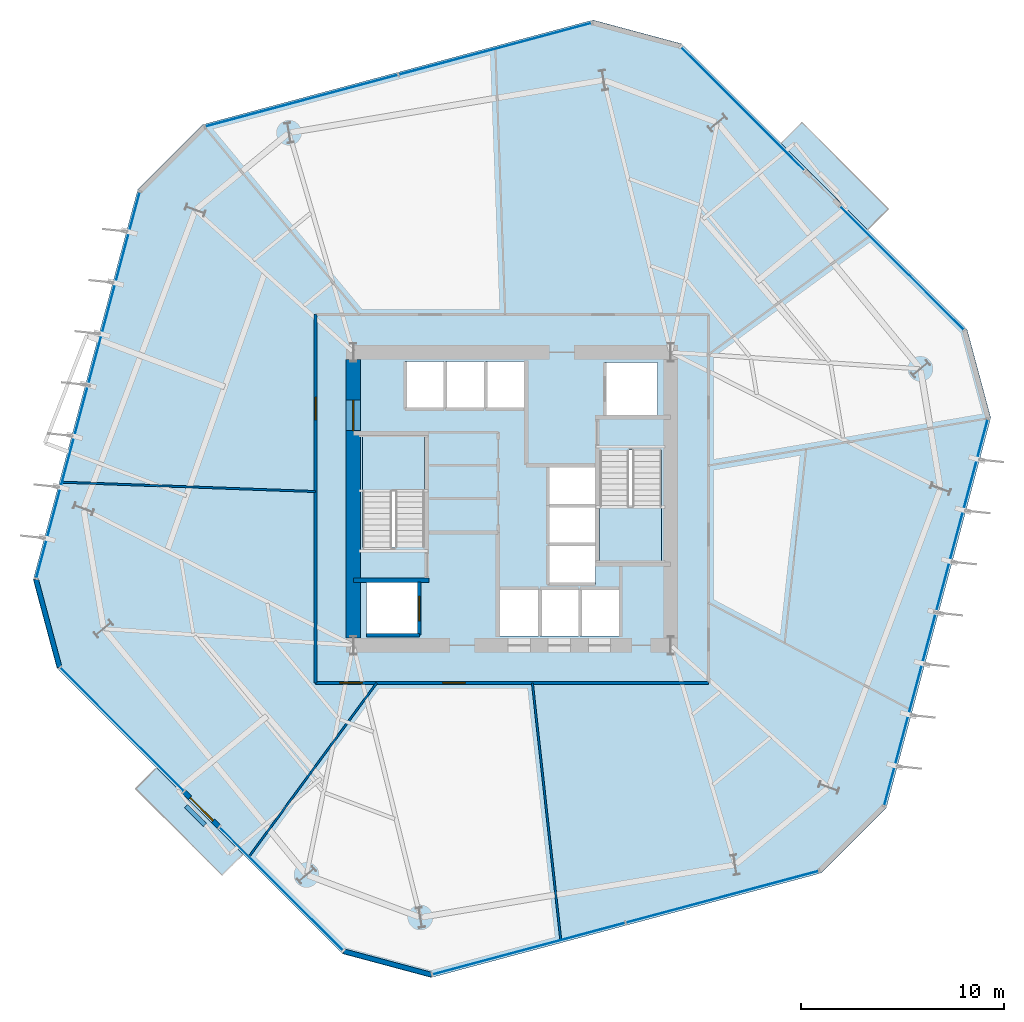
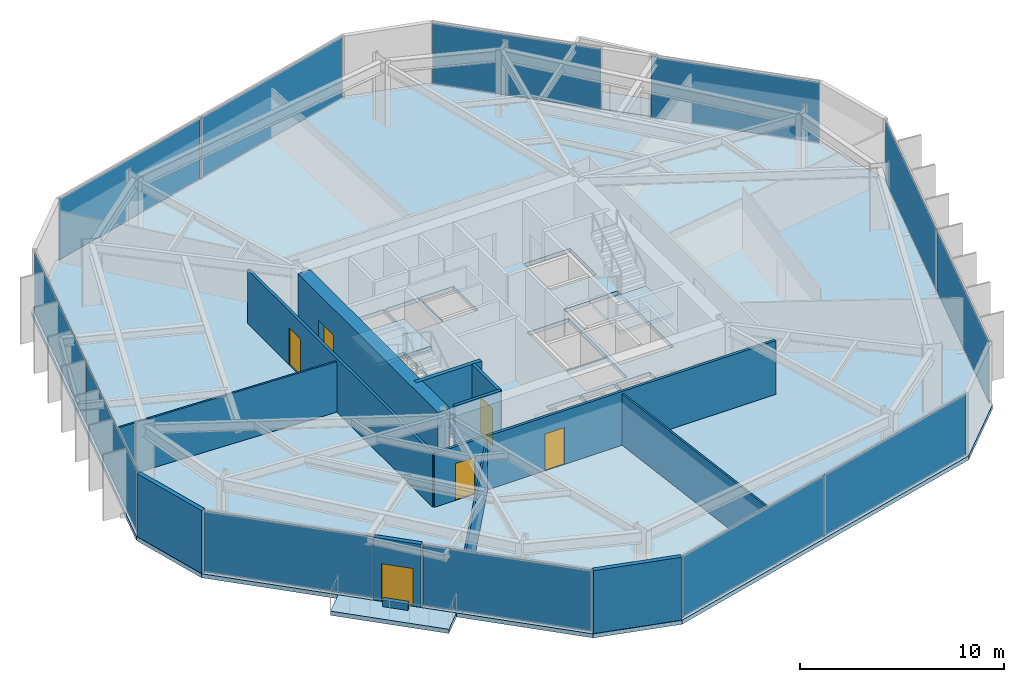
# One storey, part 5 of 10: 13 walls, 12 plates, 6 doors, 5 slabs, 6 openings, 10 elements without a shape of their own.
"""IFC4 building model written with IfcOpenShell, lengths in metres."""

from ifc_helpers import new_model, si_unit, direction, frame, frame_2d, origin, origin_2d, place, context, subcontext, project, spatial, polyline, rectangle, outline, extrude, material, layer, layer_set, type_object, element, fill, aggregate, save


model = new_model("IFC4")

# Units and contexts
model_context = context("Model", 3, precision=1e-05, world=origin(), true_north=direction((0.0, 1.0)))
body_context = subcontext(model_context, "Body", "Model", "MODEL_VIEW")
ifc_project = project(units=[si_unit("LENGTHUNIT", "METRE"), si_unit("AREAUNIT", "SQUARE_METRE"), si_unit("VOLUMEUNIT", "CUBIC_METRE"), si_unit("PLANEANGLEUNIT", "RADIAN"), si_unit("MASSUNIT", "GRAM", prefix="KILO")], contexts=[model_context])

# Site, building, storey
site_placement = place(None, origin())
site = spatial("IfcSite", under=ifc_project, at=site_placement, CompositionType="ELEMENT")
building_placement = place(site_placement, origin())
building = spatial("IfcBuilding", under=site, at=building_placement, Name="Kranzbogen Civic Tower", CompositionType="ELEMENT")
storey_placement = place(building_placement, frame((0.0, 0.0, 80.0)))
storey = spatial("IfcBuildingStorey", under=building, at=storey_placement, Name="L19", CompositionType="ELEMENT", Elevation=80.0)

# Slab
ifc_material_1 = material(Name="Concrete C40/50", Category="concrete")
ifc_layer_1 = layer(ifc_material_1, 0.239990234375, Name="Concrete C40/50")
ifc_layer_set_1 = layer_set([ifc_layer_1], Name="Concrete C40/50")
slab_type_1 = type_object("IfcSlabType", Name="Composite Lower Tower Floor Slab 240 mm", PredefinedType="FLOOR", material=ifc_layer_set_1)
slab_1_placement = place(storey_placement, frame((0.0, 0.0, -0.239990234375)))
element("IfcSlab", 1, at=slab_1_placement, inside=storey, type_object=slab_type_1, Name="L19 tower floor slab", PredefinedType="FLOOR", context=body_context, shape_type="SweptSolid", body=[
    extrude(outline(polyline([(47.365966796875, 33.322021484375), (33.322021484375, 47.365966796875), (28.97607421875, 48.531005859375), (9.7919921875, 43.389892578125), (6.610107421875, 40.2080078125), (1.468994140625, 21.02392578125), (2.634033203125, 16.677978515625), (16.677978515625, 2.634033203125), (21.02392578125, 1.468994140625), (40.2080078125, 6.610107421875), (43.389892578125, 9.7919921875), (48.531005859375, 28.97607421875), (47.365966796875, 33.322021484375)]), holes=[polyline([(26.300048828125, 20.60009765625), (26.300048828125, 18.25), (24.39990234375, 18.25), (24.39990234375, 20.60009765625), (26.300048828125, 20.60009765625)]), polyline([(28.27490234375, 18.25), (26.375, 18.25), (26.375, 20.60009765625), (28.27490234375, 20.60009765625), (28.27490234375, 18.25)]), polyline([(20.449951171875, 18.300048828125), (17.85009765625, 18.300048828125), (17.85009765625, 20.89990234375), (20.449951171875, 20.89990234375), (20.449951171875, 18.300048828125)]), polyline([(20.699951171875, 22.659912109375), (19.25, 22.659912109375), (19.25, 22.60009765625), (17.64990234375, 22.60009765625), (17.64990234375, 28.10009765625), (20.699951171875, 28.10009765625), (20.699951171875, 22.659912109375)]), polyline([(21.64990234375, 29.39990234375), (19.75, 29.39990234375), (19.75, 31.75), (21.64990234375, 31.75), (21.64990234375, 29.39990234375)]), polyline([(23.625, 29.39990234375), (21.72509765625, 29.39990234375), (21.72509765625, 31.75), (23.625, 31.75), (23.625, 29.39990234375)]), polyline([(25.60009765625, 31.75), (25.60009765625, 29.39990234375), (23.699951171875, 29.39990234375), (23.699951171875, 31.75), (25.60009765625, 31.75)]), polyline([(30.25, 18.25), (28.35009765625, 18.25), (28.35009765625, 20.60009765625), (30.25, 20.60009765625), (30.25, 18.25)]), polyline([(29.10009765625, 20.800048828125), (26.75, 20.800048828125), (26.75, 22.699951171875), (29.10009765625, 22.699951171875), (29.10009765625, 20.800048828125)]), polyline([(26.75, 26.550048828125), (29.10009765625, 26.550048828125), (29.10009765625, 24.675048828125), (29.10009765625, 24.64990234375), (29.10009765625, 22.77490234375), (26.75, 22.77490234375), (26.75, 24.64990234375), (26.75, 24.675048828125), (26.75, 26.550048828125)]), polyline([(30.75, 27.340087890625), (30.75, 27.39990234375), (32.35009765625, 27.39990234375), (32.35009765625, 21.89990234375), (29.300048828125, 21.89990234375), (29.300048828125, 27.340087890625), (30.75, 27.340087890625)]), polyline([(32.14990234375, 29.10009765625), (29.550048828125, 29.10009765625), (29.550048828125, 31.699951171875), (32.14990234375, 31.699951171875), (32.14990234375, 29.10009765625)])]), origin(), (0.0, 0.0, 1.0), 0.239990234375),
])

# Curtain wall, plate
ifc_material_2 = material(Name="Pale Anodised Aluminium", Category="aluminium")
ifc_layer_2 = layer(ifc_material_2, 0.219970703125, Name="Pale Anodised Aluminium")
ifc_layer_set_2 = layer_set([ifc_layer_2], Name="Pale Anodised Aluminium")
curtain_wall_type = type_object("IfcCurtainWallType", Name="Zone 1 Stick Curtain Wall System CW-02", PredefinedType="USERDEFINED", material=ifc_layer_set_2)
curtain_wall_1_placement = place(storey_placement, origin())
curtain_wall_1 = element("IfcCurtainWall", 2, at=curtain_wall_1_placement, inside=storey, type_object=curtain_wall_type, Name="L19 curtain wall CW-L19-F1-S1", ObjectType="STICK CURTAIN WALL", PredefinedType="USERDEFINED")
ifc_material_3 = material(Name="Low-E Triple Glazing Glass", Category="glass")
ifc_layer_3 = layer(ifc_material_3, 0.033935546875, Name="Low-E Triple Glazing Glass")
ifc_layer_set_3 = layer_set([ifc_layer_3], Name="Low-E Triple Glazing Glass")
plate_type = type_object("IfcPlateType", Name="Insulated Low-E Glazing Panel 34 mm", PredefinedType="CURTAIN_PANEL", material=ifc_layer_set_3)
plate_1_placement = place(storey_placement, frame((44.1689453125, 36.339111328125, 0.06005859375), z_axis=(0.0, 0.0, 1.0), x_axis=(-0.707106781187, 0.707106781187, 0.0)))
plate_1 = element("IfcPlate", 3, at=plate_1_placement, type_object=plate_type, Name="CW-02 panel 1.1", PredefinedType="CURTAIN_PANEL", context=body_context, shape_type="SweptSolid", body=[
    extrude(rectangle(XDim=8.552001953125, YDim=0.028076171875, at=origin_2d()), origin(), (0.0, 0.0, 1.0), 3.639892578125),
])
aggregate(curtain_wall_1, [plate_1])

curtain_wall_2_placement = place(storey_placement, origin())
curtain_wall_2 = element("IfcCurtainWall", 4, at=curtain_wall_2_placement, inside=storey, type_object=curtain_wall_type, Name="L19 curtain wall CW-L19-F1-S2", ObjectType="STICK CURTAIN WALL", PredefinedType="USERDEFINED")
plate_2_placement = place(storey_placement, frame((36.339111328125, 44.1689453125, 0.06005859375), z_axis=(0.0, 0.0, 1.0), x_axis=(-0.707106781187, 0.707106781187, 0.0)))
plate_2 = element("IfcPlate", 5, at=plate_2_placement, type_object=plate_type, Name="CW-02 panel 1.1", PredefinedType="CURTAIN_PANEL", context=body_context, shape_type="SweptSolid", body=[
    extrude(rectangle(XDim=8.552001953125, YDim=0.028076171875, at=origin_2d()), origin(), (0.0, 0.0, 1.0), 3.639892578125),
])
aggregate(curtain_wall_2, [plate_2])

# Curtain wall, plates
curtain_wall_3_placement = place(storey_placement, origin())
curtain_wall_3 = element("IfcCurtainWall", 6, at=curtain_wall_3_placement, inside=storey, type_object=curtain_wall_type, Name="L19 curtain wall CW-L19-F2", ObjectType="STICK CURTAIN WALL", PredefinedType="USERDEFINED")
plate_3_placement = place(storey_placement, frame((24.17041015625, 47.111328125, 0.06005859375), z_axis=(0.0, 0.0, 1.0), x_axis=(-0.96591730458, -0.258850846459, 0.0)))
plate_3 = element("IfcPlate", 7, at=plate_3_placement, type_object=plate_type, Name="CW-02 panel 1.1", PredefinedType="CURTAIN_PANEL", context=body_context, shape_type="SweptSolid", body=[
    extrude(rectangle(XDim=9.782470703125, YDim=0.028076171875, at=origin_2d()), origin(), (0.0, 0.0, 1.0), 3.639892578125),
])
plate_4_placement = place(storey_placement, frame((14.66357421875, 44.563720703125, 0.06005859375), z_axis=(0.0, 0.0, 1.0), x_axis=(-0.96591730458, -0.258850846459, 0.0)))
plate_4 = element("IfcPlate", 8, at=plate_4_placement, type_object=plate_type, Name="CW-02 panel 2.1", PredefinedType="CURTAIN_PANEL", context=body_context, shape_type="SweptSolid", body=[
    extrude(rectangle(XDim=9.782470703125, YDim=0.028076171875, at=origin_2d()), origin(), (0.0, 0.0, 1.0), 3.639892578125),
])
aggregate(curtain_wall_3, [plate_3, plate_4])

curtain_wall_4_placement = place(storey_placement, origin())
curtain_wall_4 = element("IfcCurtainWall", 9, at=curtain_wall_4_placement, inside=storey, type_object=curtain_wall_type, Name="L19 curtain wall CW-L19-F3", ObjectType="STICK CURTAIN WALL", PredefinedType="USERDEFINED")
plate_5_placement = place(storey_placement, frame((5.436279296875, 35.33642578125, 0.06005859375), z_axis=(0.0, 0.0, 1.0), x_axis=(-0.258850846459, -0.96591730458, 0.0)))
plate_5 = element("IfcPlate", 10, at=plate_5_placement, type_object=plate_type, Name="CW-02 panel 1.1", PredefinedType="CURTAIN_PANEL", context=body_context, shape_type="SweptSolid", body=[
    extrude(rectangle(XDim=9.782470703125, YDim=0.028076171875, at=origin_2d()), origin(), (0.0, 0.0, 1.0), 3.639892578125),
])
plate_6_placement = place(storey_placement, frame((2.888671875, 25.82958984375, 0.06005859375), z_axis=(0.0, 0.0, 1.0), x_axis=(-0.258850846459, -0.96591730458, 0.0)))
plate_6 = element("IfcPlate", 11, at=plate_6_placement, type_object=plate_type, Name="CW-02 panel 2.1", PredefinedType="CURTAIN_PANEL", context=body_context, shape_type="SweptSolid", body=[
    extrude(rectangle(XDim=9.782470703125, YDim=0.028076171875, at=origin_2d()), origin(), (0.0, 0.0, 1.0), 3.639892578125),
])
aggregate(curtain_wall_4, [plate_5, plate_6])

# Curtain wall, plate
curtain_wall_5_placement = place(storey_placement, origin())
curtain_wall_5 = element("IfcCurtainWall", 12, at=curtain_wall_5_placement, inside=storey, type_object=curtain_wall_type, Name="L19 curtain wall CW-L19-F4-S1", ObjectType="STICK CURTAIN WALL", PredefinedType="USERDEFINED")
plate_7_placement = place(storey_placement, frame((5.8310546875, 13.660888671875, 0.06005859375), z_axis=(0.0, 0.0, 1.0), x_axis=(0.707106781187, -0.707106781187, 0.0)))
plate_7 = element("IfcPlate", 13, at=plate_7_placement, type_object=plate_type, Name="CW-02 panel 1.1", PredefinedType="CURTAIN_PANEL", context=body_context, shape_type="SweptSolid", body=[
    extrude(rectangle(XDim=8.552001953125, YDim=0.028076171875, at=origin_2d()), origin(), (0.0, 0.0, 1.0), 3.639892578125),
])
aggregate(curtain_wall_5, [plate_7])

curtain_wall_6_placement = place(storey_placement, origin())
curtain_wall_6 = element("IfcCurtainWall", 14, at=curtain_wall_6_placement, inside=storey, type_object=curtain_wall_type, Name="L19 curtain wall CW-L19-F4-S2", ObjectType="STICK CURTAIN WALL", PredefinedType="USERDEFINED")
plate_8_placement = place(storey_placement, frame((13.660888671875, 5.8310546875, 0.06005859375), z_axis=(0.0, 0.0, 1.0), x_axis=(0.707106781187, -0.707106781187, 0.0)))
plate_8 = element("IfcPlate", 15, at=plate_8_placement, type_object=plate_type, Name="CW-02 panel 1.1", PredefinedType="CURTAIN_PANEL", context=body_context, shape_type="SweptSolid", body=[
    extrude(rectangle(XDim=8.552001953125, YDim=0.028076171875, at=origin_2d()), origin(), (0.0, 0.0, 1.0), 3.639892578125),
])
aggregate(curtain_wall_6, [plate_8])

# Curtain wall, plates
curtain_wall_7_placement = place(storey_placement, origin())
curtain_wall_7 = element("IfcCurtainWall", 16, at=curtain_wall_7_placement, inside=storey, type_object=curtain_wall_type, Name="L19 curtain wall CW-L19-F5", ObjectType="STICK CURTAIN WALL", PredefinedType="USERDEFINED")
plate_9_placement = place(storey_placement, frame((25.82958984375, 2.888671875, 0.06005859375), z_axis=(0.0, 0.0, 1.0), x_axis=(0.96591730458, 0.258850846459, 0.0)))
plate_9 = element("IfcPlate", 17, at=plate_9_placement, type_object=plate_type, Name="CW-02 panel 1.1", PredefinedType="CURTAIN_PANEL", context=body_context, shape_type="SweptSolid", body=[
    extrude(rectangle(XDim=9.782470703125, YDim=0.028076171875, at=origin_2d()), origin(), (0.0, 0.0, 1.0), 3.639892578125),
])
plate_10_placement = place(storey_placement, frame((35.33642578125, 5.436279296875, 0.06005859375), z_axis=(0.0, 0.0, 1.0), x_axis=(0.96591730458, 0.258850846459, 0.0)))
plate_10 = element("IfcPlate", 18, at=plate_10_placement, type_object=plate_type, Name="CW-02 panel 2.1", PredefinedType="CURTAIN_PANEL", context=body_context, shape_type="SweptSolid", body=[
    extrude(rectangle(XDim=9.782470703125, YDim=0.028076171875, at=origin_2d()), origin(), (0.0, 0.0, 1.0), 3.639892578125),
])
aggregate(curtain_wall_7, [plate_9, plate_10])

curtain_wall_8_placement = place(storey_placement, origin())
curtain_wall_8 = element("IfcCurtainWall", 19, at=curtain_wall_8_placement, inside=storey, type_object=curtain_wall_type, Name="L19 curtain wall CW-L19-F6", ObjectType="STICK CURTAIN WALL", PredefinedType="USERDEFINED")
plate_11_placement = place(storey_placement, frame((44.563720703125, 14.66357421875, 0.06005859375), z_axis=(0.0, 0.0, 1.0), x_axis=(0.258850846459, 0.96591730458, 0.0)))
plate_11 = element("IfcPlate", 20, at=plate_11_placement, type_object=plate_type, Name="CW-02 panel 1.1", PredefinedType="CURTAIN_PANEL", context=body_context, shape_type="SweptSolid", body=[
    extrude(rectangle(XDim=9.782470703125, YDim=0.028076171875, at=origin_2d()), origin(), (0.0, 0.0, 1.0), 3.639892578125),
])
plate_12_placement = place(storey_placement, frame((47.111328125, 24.17041015625, 0.06005859375), z_axis=(0.0, 0.0, 1.0), x_axis=(0.258850846459, 0.96591730458, 0.0)))
plate_12 = element("IfcPlate", 21, at=plate_12_placement, type_object=plate_type, Name="CW-02 panel 2.1", PredefinedType="CURTAIN_PANEL", context=body_context, shape_type="SweptSolid", body=[
    extrude(rectangle(XDim=9.782470703125, YDim=0.028076171875, at=origin_2d()), origin(), (0.0, 0.0, 1.0), 3.639892578125),
])
aggregate(curtain_wall_8, [plate_11, plate_12])

# Stair, slab
ifc_material_4 = material(Name="Precast concrete C40/50", Category="concrete")
stair_type_1 = type_object("IfcStairType", Name="Tower Core Pressurized Dogleg Stair 1450", PredefinedType="HALF_TURN_STAIR", material=ifc_material_4)
stair_1_placement = place(storey_placement, origin())
stair_1 = element("IfcStair", 22, at=stair_1_placement, inside=storey, type_object=stair_type_1, Name="L19 Tower Core Pressurized Stair 1", PredefinedType="HALF_TURN_STAIR")
ifc_layer_4 = layer(ifc_material_4, 0.199951171875, Name="Precast concrete C40/50")
ifc_layer_set_4 = layer_set([ifc_layer_4], Name="Precast concrete C40/50")
slab_type_2 = type_object("IfcSlabType", Name="Precast Concrete Stair Landing Slab 200 mm", PredefinedType="LANDING", material=ifc_layer_set_4)
slab_2_placement = place(storey_placement, frame((0.0, 0.0, 1.800048828125)))
slab_2 = element("IfcSlab", 23, at=slab_2_placement, type_object=slab_type_2, Name="ST-T1 landing 1", PredefinedType="LANDING", context=body_context, shape_type="SweptSolid", body=[
    extrude(outline(polyline([(20.699951171875, 25.39990234375), (20.699951171875, 28.10009765625), (17.64990234375, 28.10009765625), (17.64990234375, 25.39990234375), (20.699951171875, 25.39990234375)])), origin(), (0.0, 0.0, 1.0), 0.199951171875),
])
aggregate(stair_1, [slab_2])

stair_type_2 = type_object("IfcStairType", Name="Tower Core Secondary Dogleg Stair 1450", PredefinedType="HALF_TURN_STAIR", material=ifc_material_4)
stair_2_placement = place(storey_placement, origin())
stair_2 = element("IfcStair", 24, at=stair_2_placement, inside=storey, type_object=stair_type_2, Name="L19 Tower Core Pressurized Stair 2", PredefinedType="HALF_TURN_STAIR")
slab_3_placement = place(storey_placement, frame((0.0, 0.0, 1.800048828125)))
slab_3 = element("IfcSlab", 25, at=slab_3_placement, type_object=slab_type_2, Name="ST-T2 landing 1", PredefinedType="LANDING", context=body_context, shape_type="SweptSolid", body=[
    extrude(outline(polyline([(29.300048828125, 24.60009765625), (29.300048828125, 21.89990234375), (32.35009765625, 21.89990234375), (32.35009765625, 24.60009765625), (29.300048828125, 24.60009765625)])), origin(), (0.0, 0.0, 1.0), 0.199951171875),
])
aggregate(stair_2, [slab_3])

# Slabs
ifc_layer_5 = layer(ifc_material_1, 0.25, Name="Concrete C40/50")
ifc_layer_set_5 = layer_set([ifc_layer_5], Name="Concrete C40/50")
slab_type_3 = type_object("IfcSlabType", Name="Tree Balcony Cantilevered Slab 250 mm", PredefinedType="FLOOR", material=ifc_layer_set_5)
slab_4_placement = place(storey_placement, frame((0.0, 0.0, -0.25)))
element("IfcSlab", 26, at=slab_4_placement, inside=storey, type_object=slab_type_3, Name="L19 cantilevered tree balcony L19-TB1", PredefinedType="FLOOR", context=body_context, shape_type="SweptSolid", body=[
    extrude(outline(polyline([(42.466064453125, 38.222900390625), (38.222900390625, 42.466064453125), (39.248046875, 43.490966796875), (43.490966796875, 39.248046875), (42.466064453125, 38.222900390625)])), origin(), (0.0, 0.0, 1.0), 0.25),
])
slab_5_placement = place(storey_placement, frame((0.0, 0.0, -0.25)))
element("IfcSlab", 27, at=slab_5_placement, inside=storey, type_object=slab_type_3, Name="L19 cantilevered tree balcony L19-TB2", PredefinedType="FLOOR", context=body_context, shape_type="SweptSolid", body=[
    extrude(outline(polyline([(7.533935546875, 11.777099609375), (11.777099609375, 7.533935546875), (10.751953125, 6.509033203125), (6.509033203125, 10.751953125), (7.533935546875, 11.777099609375)])), origin(), (0.0, 0.0, 1.0), 0.25),
])

# Wall, openings, doors
ifc_material_5 = material(Name="Double-Stud Acoustic Gypsum Partition")
ifc_layer_6 = layer(ifc_material_5, 0.14990234375, Name="Double-Stud Acoustic Gypsum Partition")
ifc_layer_set_6 = layer_set([ifc_layer_6], Name="Double-Stud Acoustic Gypsum Partition")
wall_type_1 = type_object("IfcWallType", Name="Acoustic Corridor and Clinical Partition 150 mm", PredefinedType="PARTITIONING", material=ifc_layer_set_6)
wall_1_placement = place(storey_placement, frame((34.64990234375, 15.949951171875, 0.0), z_axis=(0.0, 0.0, 1.0), x_axis=(-1.0, 0.0, 0.0)))
wall_1 = element("IfcWall", 28, at=wall_1_placement, inside=storey, type_object=wall_type_1, Name="L19 corridor partition 03", PredefinedType="PARTITIONING", context=body_context, shape_type="SweptSolid", body=[
    extrude(rectangle(XDim=19.2998046875, YDim=0.14990234375, at=frame_2d((9.64990234375, 0.0))), origin(), (0.0, 0.0, 1.0), 3.2099609375),
])
opening_1_placement = place(wall_1_placement, frame((17.012939453125, 0.0, 0.0)))
opening_1 = element("IfcOpeningElement", 29, at=opening_1_placement, cuts=wall_1, Name="Opening D-COR60", PredefinedType="OPENING", context=body_context, shape_type="SweptSolid", body=[
    extrude(rectangle(XDim=1.10009765625, YDim=2.199951171875, at=frame_2d((0.550048828125, 1.10009765625))), frame((0.0, 0.0849609375, 0.0), z_axis=(0.0, -1.0, 0.0), x_axis=(1.0, 0.0, 0.0)), (0.0, 0.0, 1.0), 0.169921875),
])
opening_2_placement = place(wall_1_placement, frame((11.950927734375, 0.0, 0.0)))
opening_2 = element("IfcOpeningElement", 30, at=opening_2_placement, cuts=wall_1, Name="Opening D-COR60", PredefinedType="OPENING", context=body_context, shape_type="SweptSolid", body=[
    extrude(rectangle(XDim=1.10009765625, YDim=2.199951171875, at=frame_2d((0.550048828125, 1.10009765625))), frame((0.0, 0.0849609375, 0.0), z_axis=(0.0, -1.0, 0.0), x_axis=(1.0, 0.0, 0.0)), (0.0, 0.0, 1.0), 0.169921875),
])
ifc_material_6 = material(Name="Oak Timber and Fire Core", Category="wood")
door_type_1 = type_object("IfcDoorType", Name="Corridor Acoustic Fire Door 1100x2200", OperationType="NOTDEFINED", PredefinedType="DOOR", material=ifc_material_6)
door_1_placement = place(opening_1_placement, origin())
door_1 = element("IfcDoor", 31, at=door_1_placement, inside=storey, type_object=door_type_1, Name="L19 Ministerial Policy Office door", OperationType="SINGLE_SWING_LEFT", OverallHeight=2.199951171875, OverallWidth=1.10009765625, PredefinedType="DOOR", context=body_context, shape_type="SweptSolid", body=[
    extrude(rectangle(XDim=1.10009765625, YDim=2.199951171875, at=frame_2d((0.550048828125, 1.10009765625))), frame((0.0, 0.02490234375, 0.0), z_axis=(0.0, -1.0, 0.0), x_axis=(1.0, 0.0, 0.0)), (0.0, 0.0, 1.0), 0.050048828125),
])
fill(opening_1, door_1)
door_2_placement = place(opening_2_placement, origin())
door_2 = element("IfcDoor", 32, at=door_2_placement, inside=storey, type_object=door_type_1, Name="L19 Directorate Admin Workspace door", OperationType="SINGLE_SWING_RIGHT", OverallHeight=2.199951171875, OverallWidth=1.10009765625, PredefinedType="DOOR", context=body_context, shape_type="SweptSolid", body=[
    extrude(rectangle(XDim=1.10009765625, YDim=2.199951171875, at=frame_2d((0.550048828125, 1.10009765625))), frame((0.0, 0.02490234375, 0.0), z_axis=(0.0, -1.0, 0.0), x_axis=(1.0, 0.0, 0.0)), (0.0, 0.0, 1.0), 0.050048828125),
])
fill(opening_2, door_2)

# Wall, opening, door
wall_2_placement = place(storey_placement, frame((15.35009765625, 15.949951171875, 0.0), z_axis=(0.0, 0.0, 1.0), x_axis=(0.0, 1.0, 0.0)))
wall_2 = element("IfcWall", 33, at=wall_2_placement, inside=storey, type_object=wall_type_1, Name="L19 corridor partition 04", PredefinedType="PARTITIONING", context=body_context, shape_type="SweptSolid", body=[
    extrude(rectangle(XDim=18.10009765625, YDim=0.14990234375, at=frame_2d((9.050048828125, 0.0))), origin(), (0.0, 0.0, 1.0), 3.2099609375),
])
opening_3_placement = place(wall_2_placement, frame((12.931884765625, 0.0, 0.0)))
opening_3 = element("IfcOpeningElement", 34, at=opening_3_placement, cuts=wall_2, Name="Opening D-COR60", PredefinedType="OPENING", context=body_context, shape_type="SweptSolid", body=[
    extrude(rectangle(XDim=1.10009765625, YDim=2.199951171875, at=frame_2d((0.550048828125, 1.10009765625))), frame((0.0, 0.0849609375, 0.0), z_axis=(0.0, -1.0, 0.0), x_axis=(1.0, 0.0, 0.0)), (0.0, 0.0, 1.0), 0.169921875),
])
door_3_placement = place(opening_3_placement, origin())
door_3 = element("IfcDoor", 35, at=door_3_placement, inside=storey, type_object=door_type_1, Name="L19 Delegates Sitting Lounge door", OperationType="SINGLE_SWING_LEFT", OverallHeight=2.199951171875, OverallWidth=1.10009765625, PredefinedType="DOOR", context=body_context, shape_type="SweptSolid", body=[
    extrude(rectangle(XDim=1.10009765625, YDim=2.199951171875, at=frame_2d((0.550048828125, 1.10009765625))), frame((0.0, 0.02490234375, 0.0), z_axis=(0.0, -1.0, 0.0), x_axis=(1.0, 0.0, 0.0)), (0.0, 0.0, 1.0), 0.050048828125),
])
fill(opening_3, door_3)

# Wall
ifc_material_7 = material(Name="Architectural Precast Terracotta Concrete C40/50", Category="masonry")
ifc_layer_7 = layer(ifc_material_7, 0.219970703125, Name="Architectural Precast Terracotta Concrete C40/50")
ifc_layer_set_7 = layer_set([ifc_layer_7], Name="Architectural Precast Terracotta Concrete C40/50")
wall_type_2 = type_object("IfcWallType", Name="Architectural Tree Planter Kerb Wall 220 mm", PredefinedType="USERDEFINED", material=ifc_layer_set_7)
wall_3_placement = place(storey_placement, frame((8.97998046875, 9.89990234375, 0.0), z_axis=(0.0, 0.0, 1.0), x_axis=(0.707106781187, -0.707106781187, 0.0)))
element("IfcWall", 36, at=wall_3_placement, inside=storey, type_object=wall_type_2, Name="L19 landscaped tree balcony planter L19-TB2", ObjectType="PLANTER_WALL", PredefinedType="USERDEFINED", context=body_context, shape_type="SweptSolid", body=[
    extrude(rectangle(XDim=1.301025390625, YDim=0.219970703125, at=frame_2d((0.650390625, 0.0))), origin(), (0.0, 0.0, 1.0), 0.39990234375),
])

# Wall, opening, door
ifc_material_8 = material(Name="Concrete C55/67", Category="concrete")
ifc_layer_8 = layer(ifc_material_8, 0.699951171875, Name="Concrete C55/67")
ifc_layer_set_8 = layer_set([ifc_layer_8], Name="Concrete C55/67")
wall_type_3 = type_object("IfcWallType", Name="Central Core Shear Wall 700 mm", PredefinedType="SHEAR", material=ifc_layer_set_8)
wall_4_placement = place(storey_placement, frame((17.199951171875, 31.85009765625, 0.0), z_axis=(0.0, 0.0, 1.0), x_axis=(0.0, -1.0, 0.0)))
wall_4 = element("IfcWall", 37, at=wall_4_placement, inside=storey, type_object=wall_type_3, Name="L19 central core West shear wall", PredefinedType="SHEAR", context=body_context, shape_type="SweptSolid", body=[
    extrude(rectangle(XDim=13.7001953125, YDim=0.699951171875, at=frame_2d((6.85009765625, 0.0))), origin(), (0.0, 0.0, 1.0), 3.760009765625),
])
opening_4_placement = place(wall_4_placement, frame((2.0, 0.0, 0.0)))
opening_4 = element("IfcOpeningElement", 38, at=opening_4_placement, cuts=wall_4, Name="Opening D-DBL15", PredefinedType="OPENING", context=body_context, shape_type="SweptSolid", body=[
    extrude(rectangle(XDim=1.5, YDim=2.199951171875, at=frame_2d((0.75, 1.10009765625))), frame((0.0, 0.35986328125, 0.0), z_axis=(0.0, -1.0, 0.0), x_axis=(1.0, 0.0, 0.0)), (0.0, 0.0, 1.0), 0.719970703125),
])
ifc_material_9 = material(Name="Anodised Bronze and Glass", Category="glass")
door_type_2 = type_object("IfcDoorType", Name="Civic Lobby Double Door 1500x2200", OperationType="DOUBLE_DOOR_SINGLE_SWING", PredefinedType="DOOR", material=ifc_material_9)
door_4_placement = place(opening_4_placement, origin())
door_4 = element("IfcDoor", 39, at=door_4_placement, inside=storey, type_object=door_type_2, Name="L19 Central Lift Lobby West concourse door", OperationType="DOUBLE_DOOR_SINGLE_SWING", OverallHeight=2.199951171875, OverallWidth=1.5, PredefinedType="DOOR", context=body_context, shape_type="SweptSolid", body=[
    extrude(rectangle(XDim=1.5, YDim=2.199951171875, at=frame_2d((0.75, 1.10009765625))), frame((0.0, 0.02490234375, 0.0), z_axis=(0.0, -1.0, 0.0), x_axis=(1.0, 0.0, 0.0)), (0.0, 0.0, 1.0), 0.050048828125),
])
fill(opening_4, door_4)

# Walls
ifc_material_10 = material(Name="Concrete C45/55", Category="concrete")
ifc_layer_9 = layer(ifc_material_10, 0.219970703125, Name="Concrete C45/55")
ifc_layer_set_9 = layer_set([ifc_layer_9], Name="Concrete C45/55")
wall_type_4 = type_object("IfcWallType", Name="Core Internal Stair Structural Wall 220 mm", PredefinedType="SOLIDWALL", material=ifc_layer_set_9)
wall_5_placement = place(storey_placement, frame((17.199951171875, 20.989990234375, 0.0), z_axis=(0.0, 0.0, 1.0), x_axis=(1.0, 0.0, 0.0)))
element("IfcWall", 40, at=wall_5_placement, inside=storey, type_object=wall_type_4, Name="L19 ST-T1 South structural stair wall", PredefinedType="SOLIDWALL", context=body_context, shape_type="SweptSolid", body=[
    extrude(rectangle(XDim=3.719970703125, YDim=0.219970703125, at=frame_2d((1.85986328125, 0.0))), origin(), (0.0, 0.0, 1.0), 3.760009765625),
])
ifc_material_11 = material(Name="Demountable Aluminium and Gypsum Partition", Category="aluminium")
ifc_layer_10 = layer(ifc_material_11, 0.10009765625, Name="Demountable Aluminium and Gypsum Partition")
ifc_layer_set_10 = layer_set([ifc_layer_10], Name="Demountable Aluminium and Gypsum Partition")
wall_type_5 = type_object("IfcWallType", Name="Demountable Office Partition 100 mm", PredefinedType="MOVABLE", material=ifc_layer_set_10)
wall_6_placement = place(storey_placement, frame((15.35009765625, 25.35595703125, 0.0), z_axis=(0.0, 0.0, 1.0), x_axis=(-0.99932080841, 0.036849991562, 0.0)))
element("IfcWall", 41, at=wall_6_placement, inside=storey, type_object=wall_type_5, Name="L19 radial room partition 04", PredefinedType="MOVABLE", context=body_context, shape_type="SweptSolid", body=[
    extrude(rectangle(XDim=12.45556640625, YDim=0.10009765625, at=frame_2d((6.227783203125, 0.0))), origin(), (0.0, 0.0, 1.0), 3.02001953125),
])
wall_7_placement = place(storey_placement, frame((18.35009765625, 15.949951171875, 0.0), z_axis=(0.0, 0.0, 1.0), x_axis=(-0.592192095979, -0.805796823932, 0.0)))
element("IfcWall", 42, at=wall_7_placement, inside=storey, type_object=wall_type_5, Name="L19 radial room partition 05", PredefinedType="MOVABLE", context=body_context, shape_type="SweptSolid", body=[
    extrude(rectangle(XDim=10.57470703125, YDim=0.10009765625, at=frame_2d((5.287353515625, 0.0))), origin(), (0.0, 0.0, 1.0), 3.050048828125),
])
wall_8_placement = place(storey_placement, frame((26.0009765625, 15.949951171875, 0.0), z_axis=(0.0, 0.0, 1.0), x_axis=(0.109844945692, -0.993948735049, 0.0)))
element("IfcWall", 43, at=wall_8_placement, inside=storey, type_object=wall_type_5, Name="L19 radial room partition 06", PredefinedType="MOVABLE", context=body_context, shape_type="SweptSolid", body=[
    extrude(rectangle(XDim=12.699951171875, YDim=0.10009765625, at=frame_2d((6.35009765625, 0.0))), origin(), (0.0, 0.0, 1.0), 3.06005859375),
])

# Wall, opening, door
ifc_material_12 = material(Name="Gypsum Fireboard Shaftliner")
ifc_layer_11 = layer(ifc_material_12, 0.175048828125, Name="Gypsum Fireboard Shaftliner")
ifc_layer_set_11 = layer_set([ifc_layer_11], Name="Gypsum Fireboard Shaftliner")
wall_type_6 = type_object("IfcWallType", Name="Fire-Rated Lift and Service Shaft Wall 175 mm", PredefinedType="PARTITIONING", material=ifc_layer_set_11)
wall_9_placement = place(storey_placement, frame((20.449951171875, 18.300048828125, 0.0), z_axis=(0.0, 0.0, 1.0), x_axis=(0.0, 1.0, 0.0)))
wall_9 = element("IfcWall", 44, at=wall_9_placement, inside=storey, type_object=wall_type_6, Name="L19 lift FF-01 landing wall", PredefinedType="PARTITIONING", context=body_context, shape_type="SweptSolid", body=[
    extrude(rectangle(XDim=2.599853515625, YDim=0.175048828125, at=frame_2d((1.2998046875, 0.0))), origin(), (0.0, 0.0, 1.0), 3.760009765625),
])
opening_5_placement = place(wall_9_placement, frame((0.699951171875, 0.0, 0.0)))
opening_5 = element("IfcOpeningElement", 45, at=opening_5_placement, cuts=wall_9, Name="Opening LD-FF-01", PredefinedType="OPENING", context=body_context, shape_type="SweptSolid", body=[
    extrude(rectangle(XDim=1.199951171875, YDim=2.199951171875, at=frame_2d((0.60009765625, 1.10009765625))), frame((0.0, 0.09765625, 0.0), z_axis=(0.0, -1.0, 0.0), x_axis=(1.0, 0.0, 0.0)), (0.0, 0.0, 1.0), 0.195068359375),
])
door_type_3 = type_object("IfcDoorType", Name="Firefighting and Stretcher Lift Sliding Landing Door 1200x2200", OperationType="DOUBLE_DOOR_SLIDING", PredefinedType="DOOR", material=ifc_material_2)
door_5_placement = place(opening_5_placement, origin())
door_5 = element("IfcDoor", 46, at=door_5_placement, inside=storey, type_object=door_type_3, Name="L19 lift FF-01 sliding landing door", OperationType="DOUBLE_DOOR_SLIDING", OverallHeight=2.199951171875, OverallWidth=1.199951171875, PredefinedType="DOOR", context=body_context, shape_type="SweptSolid", body=[
    extrude(rectangle(XDim=1.199951171875, YDim=2.199951171875, at=frame_2d((0.60009765625, 1.10009765625))), frame((0.0, 0.02490234375, 0.0), z_axis=(0.0, -1.0, 0.0), x_axis=(1.0, 0.0, 0.0)), (0.0, 0.0, 1.0), 0.050048828125),
])
fill(opening_5, door_5)

# Walls
wall_10_placement = place(storey_placement, frame((17.85009765625, 18.300048828125, 0.0), z_axis=(0.0, 0.0, 1.0), x_axis=(1.0, 0.0, 0.0)))
element("IfcWall", 47, at=wall_10_placement, inside=storey, type_object=wall_type_6, Name="L19 lift FF-01 side wall", PredefinedType="PARTITIONING", context=body_context, shape_type="SweptSolid", body=[
    extrude(rectangle(XDim=2.599853515625, YDim=0.175048828125, at=frame_2d((1.2998046875, 0.0))), origin(), (0.0, 0.0, 1.0), 3.760009765625),
])
ifc_layer_12 = layer(ifc_material_2, 0.239990234375, Name="Pale Anodised Aluminium")
ifc_layer_set_12 = layer_set([ifc_layer_12], Name="Pale Anodised Aluminium")
wall_type_7 = type_object("IfcWallType", Name="Insulated Aluminium Facade Portal Wall 240 mm", PredefinedType="STANDARD", material=ifc_layer_set_12)
wall_11_placement = place(storey_placement, frame((1.60693359375, 21.047119140625, 0.0), z_axis=(0.0, 0.0, 1.0), x_axis=(0.258902519869, -0.965903455427, 0.0)))
element("IfcWall", 48, at=wall_11_placement, inside=storey, type_object=wall_type_7, Name="L19 chamfered corner facade spandrel 3", PredefinedType="STANDARD", context=body_context, shape_type="SweptSolid", body=[
    extrude(rectangle(XDim=4.47265625, YDim=0.239990234375, at=frame_2d((2.236328125, 0.0))), origin(), (0.0, 0.0, 1.0), 3.760009765625),
])

# Wall, opening, door
wall_12_placement = place(storey_placement, frame((8.89697265625, 10.594970703125, 0.0), z_axis=(0.0, 0.0, 1.0), x_axis=(0.707106781187, -0.707106781187, 0.0)))
wall_12 = element("IfcWall", 49, at=wall_12_placement, inside=storey, type_object=wall_type_7, Name="L19 exterior entrance portal wall 1", PredefinedType="STANDARD", context=body_context, shape_type="SweptSolid", body=[
    extrude(rectangle(XDim=2.4013671875, YDim=0.239990234375, at=frame_2d((1.20068359375, 0.0))), origin(), (0.0, 0.0, 1.0), 3.760009765625),
])
opening_6_placement = place(wall_12_placement, frame((0.39990234375, 0.0, 0.0)))
opening_6 = element("IfcOpeningElement", 50, at=opening_6_placement, cuts=wall_12, Name="Opening D-TER", PredefinedType="OPENING", context=body_context, shape_type="SweptSolid", body=[
    extrude(rectangle(XDim=1.60009765625, YDim=2.25, at=frame_2d((0.800048828125, 1.125))), frame((0.0, 0.1298828125, 0.0), z_axis=(0.0, -1.0, 0.0), x_axis=(1.0, 0.0, 0.0)), (0.0, 0.0, 1.0), 0.260009765625),
])
ifc_material_13 = material(Name="Anodised Bronze and Triple Glass", Category="glass")
door_type_4 = type_object("IfcDoorType", Name="Glazed Terrace and Balcony Double Door 1600x2250", OperationType="DOUBLE_DOOR_SINGLE_SWING", PredefinedType="DOOR", material=ifc_material_13)
door_6_placement = place(opening_6_placement, frame((1.60009765625, 0.0, 0.0), z_axis=(0.0, 0.0, 1.0), x_axis=(-1.0, 0.0, 0.0)))
door_6 = element("IfcDoor", 51, at=door_6_placement, inside=storey, type_object=door_type_4, Name="L19 tree balcony access door L19-TB2", OperationType="DOUBLE_DOOR_SINGLE_SWING", OverallHeight=2.25, OverallWidth=1.60009765625, PredefinedType="DOOR", context=body_context, shape_type="SweptSolid", body=[
    extrude(rectangle(XDim=1.60009765625, YDim=2.25, at=frame_2d((0.800048828125, 1.125))), frame((0.0, 0.02490234375, 0.0), z_axis=(0.0, -1.0, 0.0), x_axis=(1.0, 0.0, 0.0)), (0.0, 0.0, 1.0), 0.050048828125),
])
fill(opening_6, door_6)

# Wall
wall_13_placement = place(storey_placement, frame((16.72705078125, 2.764892578125, 0.0), z_axis=(0.0, 0.0, 1.0), x_axis=(0.965903455427, -0.258902519869, 0.0)))
element("IfcWall", 52, at=wall_13_placement, inside=storey, type_object=wall_type_7, Name="L19 chamfered corner facade spandrel 4", PredefinedType="STANDARD", context=body_context, shape_type="SweptSolid", body=[
    extrude(rectangle(XDim=4.47265625, YDim=0.239990234375, at=frame_2d((2.236328125, 0.0))), origin(), (0.0, 0.0, 1.0), 3.760009765625),
])

save(model, "model.ifc")
